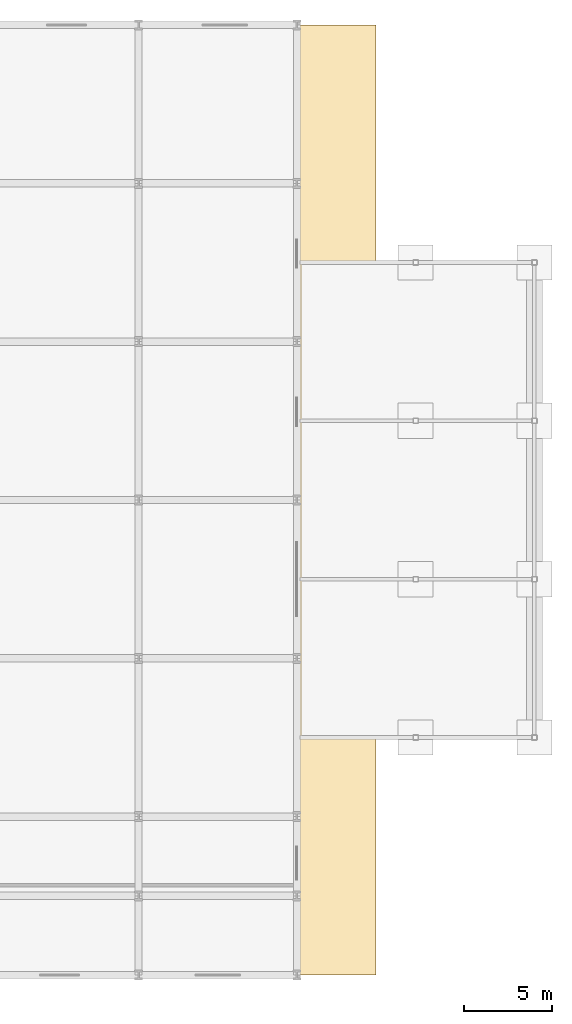
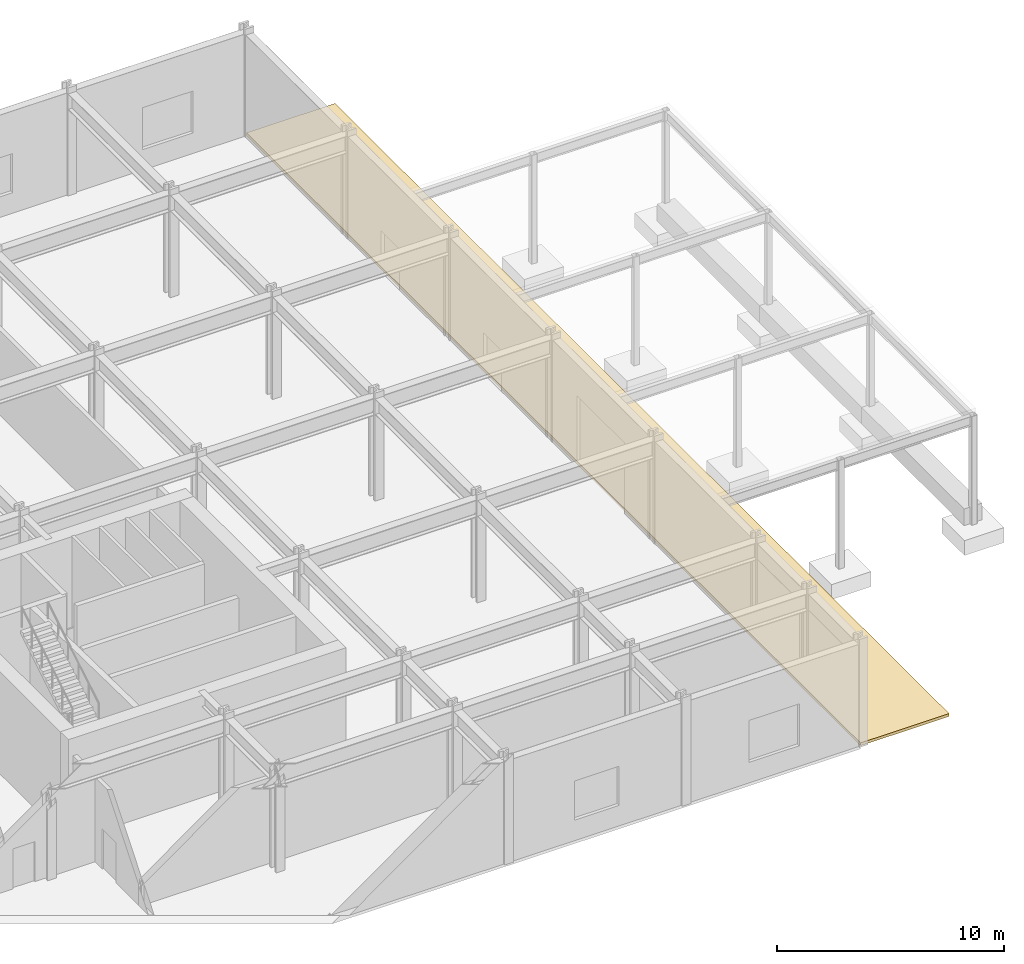
# One storey, part 18 of 19: 1 covering.
"""IFC4 building model written with IfcOpenShell, lengths in metres."""

from ifc_helpers import new_model, si_unit, direction, frame, origin, place, context, subcontext, project, spatial, polyline, outline, extrude, material, layer, layer_set, type_object, element, save


model = new_model("IFC4")

# Units and contexts
model_context = context("Model", 3, precision=1e-05, world=origin(), true_north=direction((0.0, 1.0)))
body_context = subcontext(model_context, "Body", "Model", "MODEL_VIEW")
ifc_project = project(units=[si_unit("LENGTHUNIT", "METRE"), si_unit("AREAUNIT", "SQUARE_METRE"), si_unit("VOLUMEUNIT", "CUBIC_METRE"), si_unit("PLANEANGLEUNIT", "RADIAN"), si_unit("MASSUNIT", "GRAM", prefix="KILO")], contexts=[model_context])

# Site, building, storey
site_placement = place(None, origin())
site = spatial("IfcSite", under=ifc_project, at=site_placement, CompositionType="ELEMENT")
building_placement = place(site_placement, origin())
building = spatial("IfcBuilding", under=site, at=building_placement, Name="Solvaryn Broadcast Tower", CompositionType="ELEMENT")
storey_placement = place(building_placement, origin())
storey = spatial("IfcBuildingStorey", under=building, at=storey_placement, Name="L00", CompositionType="ELEMENT", Elevation=0.0)

# Covering
ifc_material = material(Name="Concrete f'c 50 MPa", Category="concrete")
ifc_layer = layer(ifc_material, 0.14990234375)
ifc_layer_set = layer_set([ifc_layer], Name="CV-PLAZA-PAVING")
covering_type = type_object("IfcCoveringType", Name="CV-PLAZA-PAVING", PredefinedType="USERDEFINED", material=ifc_layer_set)
covering_placement = place(storey_placement, frame((0.0, 0.0, -0.14990234375)))
element("IfcCovering", 1, at=covering_placement, inside=storey, type_object=covering_type, Name="Street Landscape Plaza Paving PLAZA-EAST-MAIN", ObjectType="PAVING", PredefinedType="USERDEFINED", context=body_context, shape_type="SweptSolid", body=[
    extrude(outline(polyline([(63.0, 0.0), (67.5, 0.0), (67.5, 54.0), (63.0, 54.0), (63.0, 0.0)])), origin(), (0.0, 0.0, 1.0), 0.14990234375),
])

save(model, "model.ifc")
